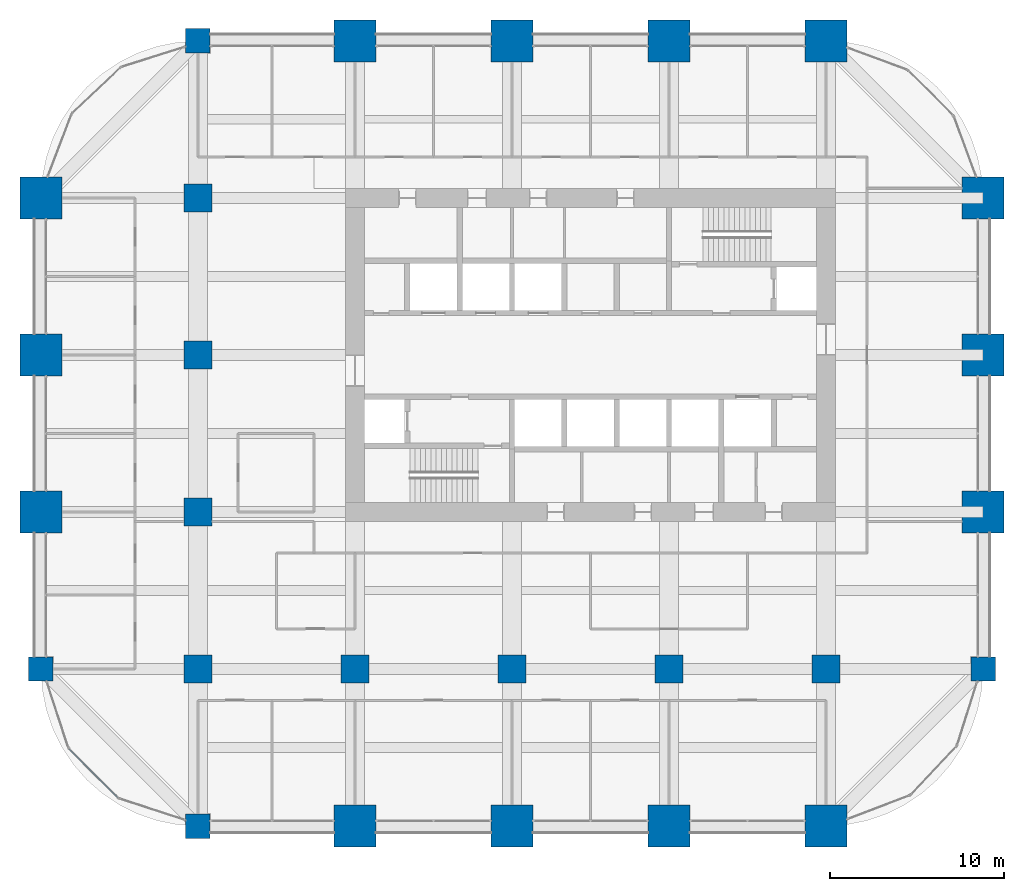
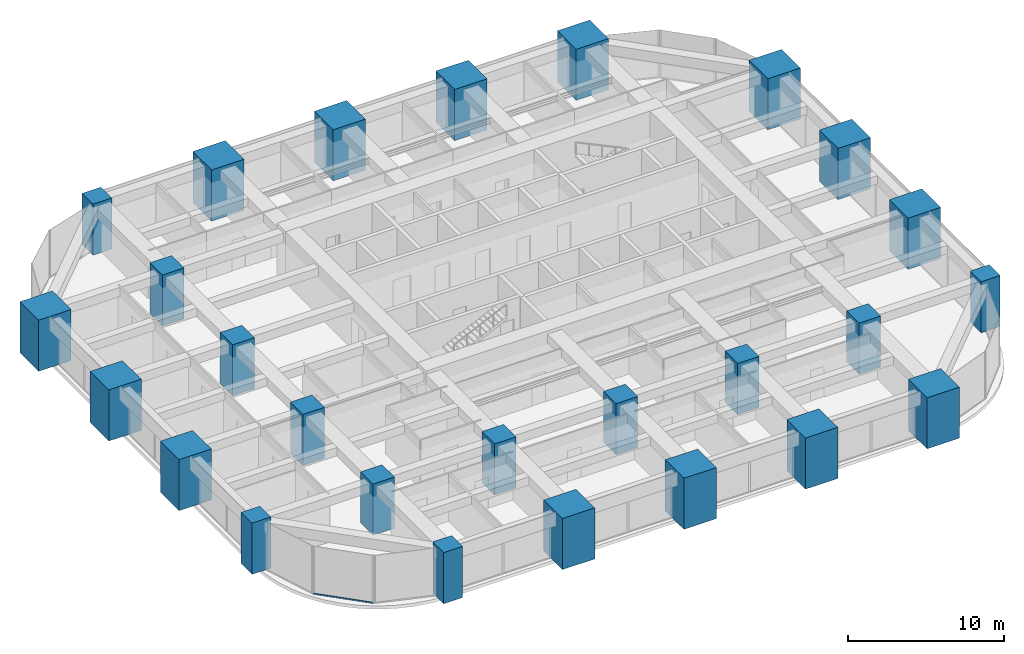
# One storey, part 1 of 34: 26 columns, 1 member, 1 element without a shape of its own.
"""IFC4 building model written with IfcOpenShell, lengths in metres."""

from ifc_helpers import new_model, si_unit, direction, frame, origin, origin_2d, place, context, subcontext, project, spatial, rectangle, hollow_rectangle, extrude, material, material_profile, profile_set, type_object, element, aggregate, save


model = new_model("IFC4")

# Units and contexts
model_context = context("Model", 3, precision=1e-05, world=origin(), true_north=direction((0.0, 1.0)))
body_context = subcontext(model_context, "Body", "Model", "MODEL_VIEW")
ifc_project = project(units=[si_unit("LENGTHUNIT", "METRE"), si_unit("AREAUNIT", "SQUARE_METRE"), si_unit("VOLUMEUNIT", "CUBIC_METRE"), si_unit("PLANEANGLEUNIT", "RADIAN"), si_unit("MASSUNIT", "GRAM", prefix="KILO")], contexts=[model_context])

# Site, building, storey
site_placement = place(None, origin())
site = spatial("IfcSite", under=ifc_project, at=site_placement, CompositionType="ELEMENT")
building_placement = place(site_placement, origin())
building = spatial("IfcBuilding", under=site, at=building_placement, Name="Zorevar Civic Tower", CompositionType="ELEMENT")
storey_placement = place(building_placement, frame((0.0, 0.0, 170.199951171875)))
storey = spatial("IfcBuildingStorey", under=building, at=storey_placement, Name="L41", CompositionType="ELEMENT", Elevation=170.199951171875)

# Columns
ifc_material_1 = material(Name="Concrete C50/60", Category="concrete")
ifc_material_profile_1 = material_profile(ifc_material_1, rectangle(XDim=1.39990234375, YDim=1.39990234375, at=origin_2d()), Name="RC 1400x1400")
ifc_profile_set_1 = profile_set([ifc_material_profile_1], Name="Concrete C50/60")
column_type_1 = type_object("IfcColumnType", Name="Column RC 1400x1400", PredefinedType="COLUMN", material=ifc_profile_set_1)
for number, where, z_axis, x_axis, name in (
    (1, (0.0, 9.0, 0.0), (0.0, 0.0, 1.0), (1.0, 0.0, 0.0), "Column 2B L41"),
    (2, (9.0, 0.0, 0.0), (0.0, 0.0, 1.0), (1.0, 0.0, 0.0), "Column 3A L41"),
    (3, (9.0, 45.0, 0.0), (0.0, 0.0, 1.0), (1.0, 0.0, 0.0), "Column 3F L41"),
    (4, (54.0, 9.0, 0.0), (0.0, 0.0, 1.0), (1.0, 0.0, 0.0), "Column 8B L41"),
):
    element("IfcColumn", number, at=place(storey_placement, frame(where, z_axis=z_axis, x_axis=x_axis)), inside=storey, type_object=column_type_1, Name=name, PredefinedType="COLUMN", context=body_context, shape_type="SweptSolid", body=[
        extrude(rectangle(XDim=1.39990234375, YDim=1.39990234375, at=origin_2d()), origin(), (0.0, 0.0, 1.0), 4.0),
    ])
ifc_material_2 = material(Name="Concrete C50/60", Category="concrete")
ifc_material_profile_2 = material_profile(ifc_material_2, rectangle(XDim=1.60009765625, YDim=1.60009765625, at=origin_2d()), Name="RC 1600x1600")
ifc_profile_set_2 = profile_set([ifc_material_profile_2], Name="Concrete C50/60")
column_type_2 = type_object("IfcColumnType", Name="Column RC 1600x1600", PredefinedType="COLUMN", material=ifc_profile_set_2)
for number, where, z_axis, x_axis, name in (
    (5, (9.0, 9.0, 0.0), (0.0, 0.0, 1.0), (1.0, 0.0, 0.0), "Column 3B L41"),
    (6, (9.0, 18.0, 0.0), (0.0, 0.0, 1.0), (1.0, 0.0, 0.0), "Column 3C L41"),
    (7, (9.0, 27.0, 0.0), (0.0, 0.0, 1.0), (1.0, 0.0, 0.0), "Column 3D L41"),
    (8, (9.0, 36.0, 0.0), (0.0, 0.0, 1.0), (1.0, 0.0, 0.0), "Column 3E L41"),
    (9, (18.0, 9.0, 0.0), (0.0, 0.0, 1.0), (1.0, 0.0, 0.0), "Column 4B L41"),
    (10, (27.0, 9.0, 0.0), (0.0, 0.0, 1.0), (1.0, 0.0, 0.0), "Column 5B L41"),
    (11, (36.0, 9.0, 0.0), (0.0, 0.0, 1.0), (1.0, 0.0, 0.0), "Column 6B L41"),
    (12, (45.0, 9.0, 0.0), (0.0, 0.0, 1.0), (1.0, 0.0, 0.0), "Column 7B L41"),
):
    element("IfcColumn", number, at=place(storey_placement, frame(where, z_axis=z_axis, x_axis=x_axis)), inside=storey, type_object=column_type_2, Name=name, PredefinedType="COLUMN", context=body_context, shape_type="SweptSolid", body=[
        extrude(rectangle(XDim=1.60009765625, YDim=1.60009765625, at=origin_2d()), origin(), (0.0, 0.0, 1.0), 4.0),
    ])
ifc_material_3 = material(Name="Concrete C50/60", Category="concrete")
ifc_material_profile_3 = material_profile(ifc_material_3, rectangle(XDim=2.39990234375, YDim=2.39990234375, at=origin_2d()), Name="RC 2400x2400")
ifc_profile_set_3 = profile_set([ifc_material_profile_3], Name="Concrete C50/60")
column_type_3 = type_object("IfcColumnType", Name="Mega column RC 2400x2400", PredefinedType="COLUMN", material=ifc_profile_set_3)
for number, where, z_axis, x_axis, name in (
    (13, (0.0, 18.0, 0.0), (0.0, 0.0, 1.0), (1.0, 0.0, 0.0), "Column 2C L41"),
    (14, (0.0, 27.0, 0.0), (0.0, 0.0, 1.0), (1.0, 0.0, 0.0), "Column 2D L41"),
    (15, (0.0, 36.0, 0.0), (0.0, 0.0, 1.0), (1.0, 0.0, 0.0), "Column 2E L41"),
    (16, (18.0, 0.0, 0.0), (0.0, 0.0, 1.0), (1.0, 0.0, 0.0), "Column 4A L41"),
    (17, (18.0, 45.0, 0.0), (0.0, 0.0, 1.0), (1.0, 0.0, 0.0), "Column 4F L41"),
    (18, (27.0, 0.0, 0.0), (0.0, 0.0, 1.0), (1.0, 0.0, 0.0), "Column 5A L41"),
    (19, (27.0, 45.0, 0.0), (0.0, 0.0, 1.0), (1.0, 0.0, 0.0), "Column 5F L41"),
    (20, (36.0, 0.0, 0.0), (0.0, 0.0, 1.0), (1.0, 0.0, 0.0), "Column 6A L41"),
    (21, (36.0, 45.0, 0.0), (0.0, 0.0, 1.0), (1.0, 0.0, 0.0), "Column 6F L41"),
    (22, (45.0, 0.0, 0.0), (0.0, 0.0, 1.0), (1.0, 0.0, 0.0), "Column 7A L41"),
    (23, (45.0, 45.0, 0.0), (0.0, 0.0, 1.0), (1.0, 0.0, 0.0), "Column 7F L41"),
    (24, (54.0, 18.0, 0.0), (0.0, 0.0, 1.0), (1.0, 0.0, 0.0), "Column 8C L41"),
    (25, (54.0, 27.0, 0.0), (0.0, 0.0, 1.0), (1.0, 0.0, 0.0), "Column 8D L41"),
    (26, (54.0, 36.0, 0.0), (0.0, 0.0, 1.0), (1.0, 0.0, 0.0), "Column 8E L41"),
):
    element("IfcColumn", number, at=place(storey_placement, frame(where, z_axis=z_axis, x_axis=x_axis)), inside=storey, type_object=column_type_3, Name=name, PredefinedType="COLUMN", context=body_context, shape_type="SweptSolid", body=[
        extrude(rectangle(XDim=2.39990234375, YDim=2.39990234375, at=origin_2d()), origin(), (0.0, 0.0, 1.0), 4.0),
    ])

# Curtain wall, member
ifc_material_4 = material(Name="Dark grey solar-control glass in black aluminium frame", Category="aluminium")
curtain_wall_type = type_object("IfcCurtainWallType", Name="Curtain wall CW4 high zone", PredefinedType="NOTDEFINED", material=ifc_material_4)
curtain_wall_placement = place(storey_placement, origin())
curtain_wall = element("IfcCurtainWall", 27, at=curtain_wall_placement, inside=storey, type_object=curtain_wall_type, Name="CW4 L41", PredefinedType="NOTDEFINED")
ifc_material_5 = material(Name="Aluminium, black anodised", Category="aluminium")
ifc_material_profile_4 = material_profile(ifc_material_5, hollow_rectangle(XDim=0.06005859375, YDim=0.1201171875, WallThickness=0.0029296875, at=origin_2d()), Name="AL 120x60x3")
ifc_profile_set_4 = profile_set([ifc_material_profile_4], Name="Aluminium, black anodised")
member_type = type_object("IfcMemberType", Name="CW4 transom AL 120x60x3", PredefinedType="USERDEFINED", material=ifc_profile_set_4)
member_placement = place(storey_placement, frame((1.62744140625, 4.406982421875, 0.030029296875), z_axis=(0.707106781187, -0.707106781187, 0.0), x_axis=(0.707106781187, 0.707106781187, 0.0)))
member = element("IfcMember", 28, at=member_placement, type_object=member_type, Name="CW4 sill transom", ObjectType="TRANSOM", PredefinedType="USERDEFINED", context=body_context, shape_type="SweptSolid", body=[
    extrude(hollow_rectangle(XDim=0.06005859375, YDim=0.1201171875, WallThickness=0.0029296875, at=origin_2d()), origin(), (0.0, 0.0, 1.0), 3.930908203125),
])
aggregate(curtain_wall, [member])

save(model, "model.ifc")
